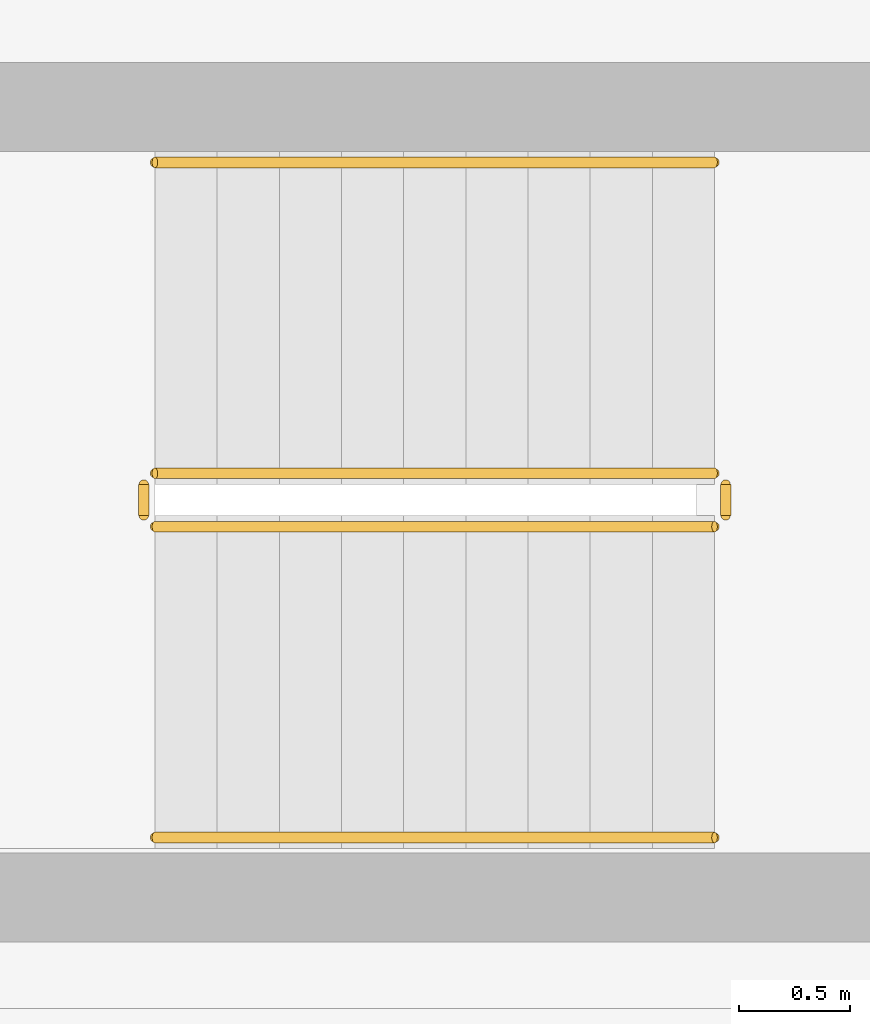
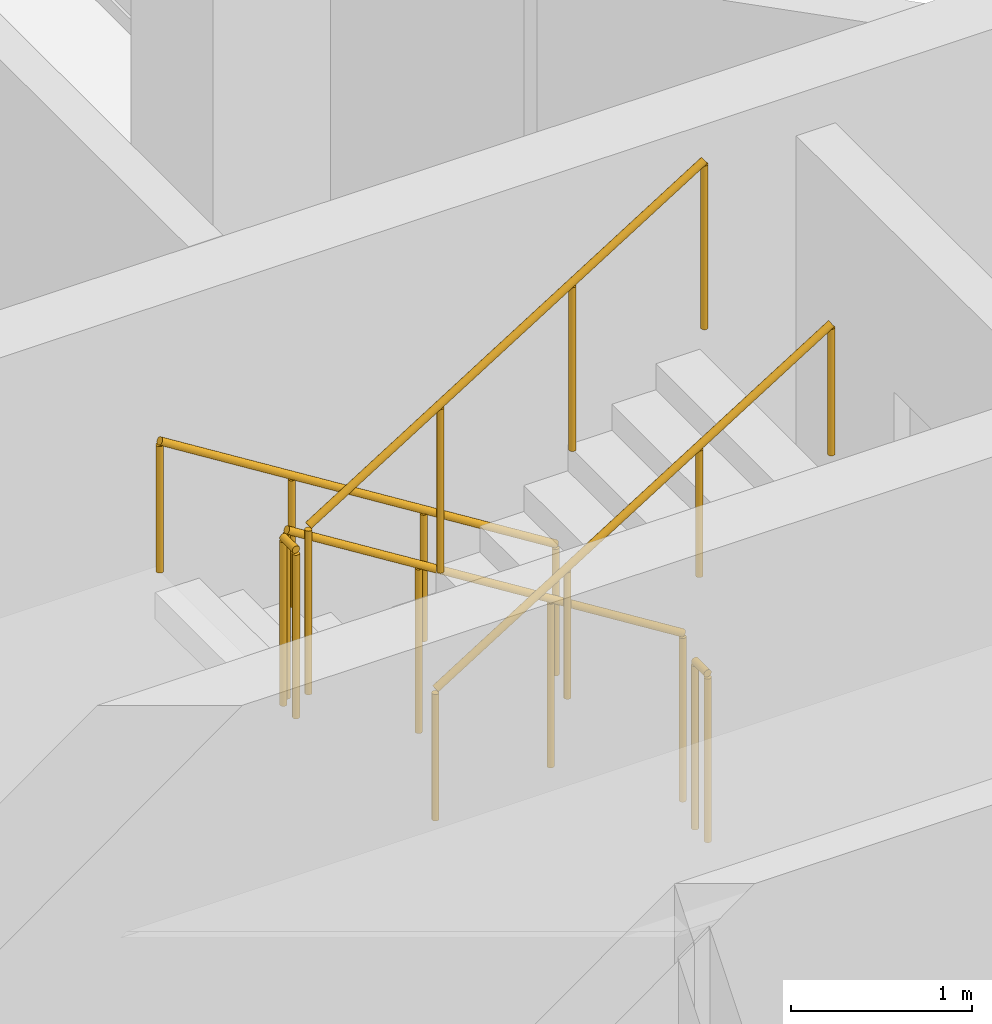
# One storey, part 11 of 14: 6 railings.
"""IFC4 building model written with IfcOpenShell, lengths in metres."""

from ifc_helpers import new_model, si_unit, derived_unit, direction, frame, origin, origin_2d, place, context, subcontext, project, spatial, circle, extrude, material, type_object, element, save


model = new_model("IFC4")

# Units and contexts
model_context = context("Model", 3, precision=1e-05, world=origin(), true_north=direction((0.0, 1.0)))
body_context = subcontext(model_context, "Body", "Model", "MODEL_VIEW")
ifc_project = project(units=[si_unit("LENGTHUNIT", "METRE"), si_unit("AREAUNIT", "SQUARE_METRE"), si_unit("VOLUMEUNIT", "CUBIC_METRE"), si_unit("PLANEANGLEUNIT", "RADIAN"), si_unit("MASSUNIT", "GRAM", prefix="KILO"), derived_unit("THERMALTRANSMITTANCEUNIT", [(si_unit("POWERUNIT", "WATT"), 1), (si_unit("LENGTHUNIT", "METRE"), -2), (si_unit("THERMODYNAMICTEMPERATUREUNIT", "KELVIN"), -1)])], contexts=[model_context])

# Site, building, storey
site_placement = place(None, origin())
site = spatial("IfcSite", under=ifc_project, at=site_placement, CompositionType="ELEMENT")
building_placement = place(site_placement, origin())
building = spatial("IfcBuilding", under=site, at=building_placement, Name="Kivonza Crest Hotel", CompositionType="ELEMENT")
storey_placement = place(building_placement, frame((0.0, 0.0, 138.0)))
storey = spatial("IfcBuildingStorey", under=building, at=storey_placement, Name="L37", CompositionType="ELEMENT", Elevation=138.0)

# Railings
ifc_material_1 = material(Name="Brushed stainless steel handrail", Category="steel")
railing_type_1 = type_object("IfcRailingType", Name="RL-HAND-900", PredefinedType="HANDRAIL", material=ifc_material_1)
railing_1_placement = place(storey_placement, frame((12.239990234375, 16.949951171875, 0.175048828125)))
element("IfcRailing", 1, at=railing_1_placement, inside=storey, type_object=railing_type_1, Name="L37 ST-T1-S stair handrail 1", PredefinedType="HANDRAIL", context=body_context, shape_type="SweptSolid", body=[
    extrude(circle(Radius=0.02392578125, at=origin_2d()), frame((0.0, 0.0, 0.8759765625), z_axis=(-0.848007534815, 0.0, 0.529984170421), x_axis=(0.0, -1.0, 0.0)), (0.0, 0.0, 1.0), 2.9716796875),
    extrude(circle(Radius=0.02099609375, at=origin_2d()), origin(), (0.0, 0.0, 1.0), 0.851806640625),
    extrude(circle(Radius=0.02099609375, at=origin_2d()), frame((-0.840087890625, 0.0, 0.52490234375)), (0.0, 0.0, 1.0), 0.851806640625),
    extrude(circle(Radius=0.02099609375, at=origin_2d()), frame((-1.679931640625, 0.0, 1.050048828125)), (0.0, 0.0, 1.0), 0.851806640625),
    extrude(circle(Radius=0.02099609375, at=origin_2d()), frame((-2.52001953125, 0.0, 1.574951171875)), (0.0, 0.0, 1.0), 0.851806640625),
])
railing_2_placement = place(storey_placement, frame((9.719970703125, 13.909912109375, 1.925048828125)))
element("IfcRailing", 2, at=railing_2_placement, inside=storey, type_object=railing_type_1, Name="L37 ST-T1-S stair handrail 2", PredefinedType="HANDRAIL", context=body_context, shape_type="SweptSolid", body=[
    extrude(circle(Radius=0.02392578125, at=origin_2d()), frame((0.0, 0.0, 0.8759765625), z_axis=(0.848007534815, 0.0, 0.529984170421), x_axis=(0.0, 1.0, 0.0)), (0.0, 0.0, 1.0), 2.9716796875),
    extrude(circle(Radius=0.02099609375, at=origin_2d()), origin(), (0.0, 0.0, 1.0), 0.851806640625),
    extrude(circle(Radius=0.02099609375, at=origin_2d()), frame((0.840087890625, 0.0, 0.52490234375)), (0.0, 0.0, 1.0), 0.851806640625),
    extrude(circle(Radius=0.02099609375, at=origin_2d()), frame((1.679931640625, 0.0, 1.050048828125)), (0.0, 0.0, 1.0), 0.851806640625),
    extrude(circle(Radius=0.02099609375, at=origin_2d()), frame((2.52001953125, 0.0, 1.574951171875)), (0.0, 0.0, 1.0), 0.851806640625),
])
ifc_material_2 = material(Name="Painted steel balustrade", Category="steel")
railing_type_2 = type_object("IfcRailingType", Name="RL-STAIR-1150", PredefinedType="BALUSTRADE", material=ifc_material_2)
railing_3_placement = place(storey_placement, frame((12.239990234375, 15.550048828125, 0.175048828125)))
element("IfcRailing", 3, at=railing_3_placement, inside=storey, type_object=railing_type_2, Name="L37 ST-T1-S stair guard 1", PredefinedType="BALUSTRADE", context=body_context, shape_type="SweptSolid", body=[
    extrude(circle(Radius=0.02392578125, at=origin_2d()), frame((0.0, 0.0, 1.1259765625), z_axis=(-0.848007534815, 0.0, 0.529984170421), x_axis=(0.0, -1.0, 0.0)), (0.0, 0.0, 1.0), 2.9716796875),
    extrude(circle(Radius=0.02099609375, at=origin_2d()), origin(), (0.0, 0.0, 1.0), 1.101806640625),
    extrude(circle(Radius=0.02099609375, at=origin_2d()), frame((-0.840087890625, 0.0, 0.52490234375)), (0.0, 0.0, 1.0), 1.101806640625),
    extrude(circle(Radius=0.02099609375, at=origin_2d()), frame((-1.679931640625, 0.0, 1.050048828125)), (0.0, 0.0, 1.0), 1.101806640625),
    extrude(circle(Radius=0.02099609375, at=origin_2d()), frame((-2.52001953125, 0.0, 1.574951171875)), (0.0, 0.0, 1.0), 1.101806640625),
])
railing_4_placement = place(storey_placement, frame((9.669921875, 15.5, 1.75)))
element("IfcRailing", 4, at=railing_4_placement, inside=storey, type_object=railing_type_2, Name="L37 ST-T1-S stair guard 2", PredefinedType="BALUSTRADE", context=body_context, shape_type="SweptSolid", body=[
    extrude(circle(Radius=0.02392578125, at=origin_2d()), frame((0.0, 0.0, 1.1259765625), z_axis=(0.0, -1.0, 0.0), x_axis=(1.0, 0.0, 0.0)), (0.0, 0.0, 1.0), 0.139892578125),
    extrude(circle(Radius=0.02099609375, at=origin_2d()), origin(), (0.0, 0.0, 1.0), 1.101806640625),
    extrude(circle(Radius=0.02099609375, at=origin_2d()), frame((0.0, -0.139892578125, 0.0)), (0.0, 0.0, 1.0), 1.101806640625),
])
railing_5_placement = place(storey_placement, frame((9.719970703125, 15.31005859375, 1.925048828125)))
element("IfcRailing", 5, at=railing_5_placement, inside=storey, type_object=railing_type_2, Name="L37 ST-T1-S stair guard 3", PredefinedType="BALUSTRADE", context=body_context, shape_type="SweptSolid", body=[
    extrude(circle(Radius=0.02392578125, at=origin_2d()), frame((0.0, 0.0, 1.1259765625), z_axis=(0.848007534815, 0.0, 0.529984170421), x_axis=(0.0, 1.0, 0.0)), (0.0, 0.0, 1.0), 2.9716796875),
    extrude(circle(Radius=0.02099609375, at=origin_2d()), origin(), (0.0, 0.0, 1.0), 1.101806640625),
    extrude(circle(Radius=0.02099609375, at=origin_2d()), frame((0.840087890625, 0.0, 0.52490234375)), (0.0, 0.0, 1.0), 1.101806640625),
    extrude(circle(Radius=0.02099609375, at=origin_2d()), frame((1.679931640625, 0.0, 1.050048828125)), (0.0, 0.0, 1.0), 1.101806640625),
    extrude(circle(Radius=0.02099609375, at=origin_2d()), frame((2.52001953125, 0.0, 1.574951171875)), (0.0, 0.0, 1.0), 1.101806640625),
])
railing_6_placement = place(storey_placement, frame((12.2900390625, 15.5, 0.0)))
element("IfcRailing", 6, at=railing_6_placement, inside=storey, type_object=railing_type_2, Name="L37 ST-T1-S stair guard 4", PredefinedType="BALUSTRADE", context=body_context, shape_type="SweptSolid", body=[
    extrude(circle(Radius=0.02392578125, at=origin_2d()), frame((0.0, 0.0, 1.1259765625), z_axis=(0.0, -1.0, 0.0), x_axis=(1.0, 0.0, 0.0)), (0.0, 0.0, 1.0), 0.139892578125),
    extrude(circle(Radius=0.02099609375, at=origin_2d()), origin(), (0.0, 0.0, 1.0), 1.101806640625),
    extrude(circle(Radius=0.02099609375, at=origin_2d()), frame((0.0, -0.139892578125, 0.0)), (0.0, 0.0, 1.0), 1.101806640625),
])

save(model, "model.ifc")
